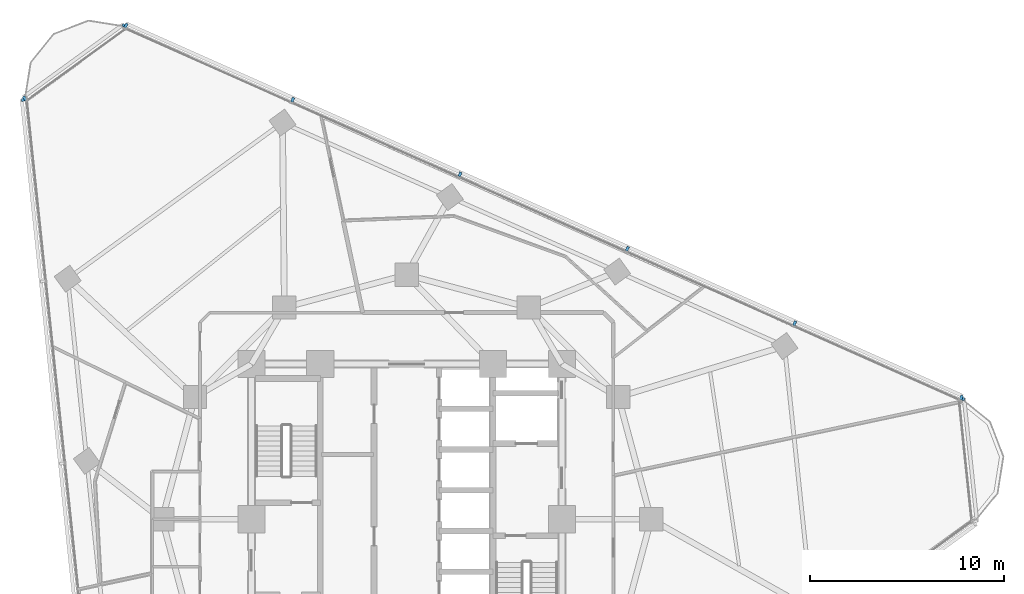
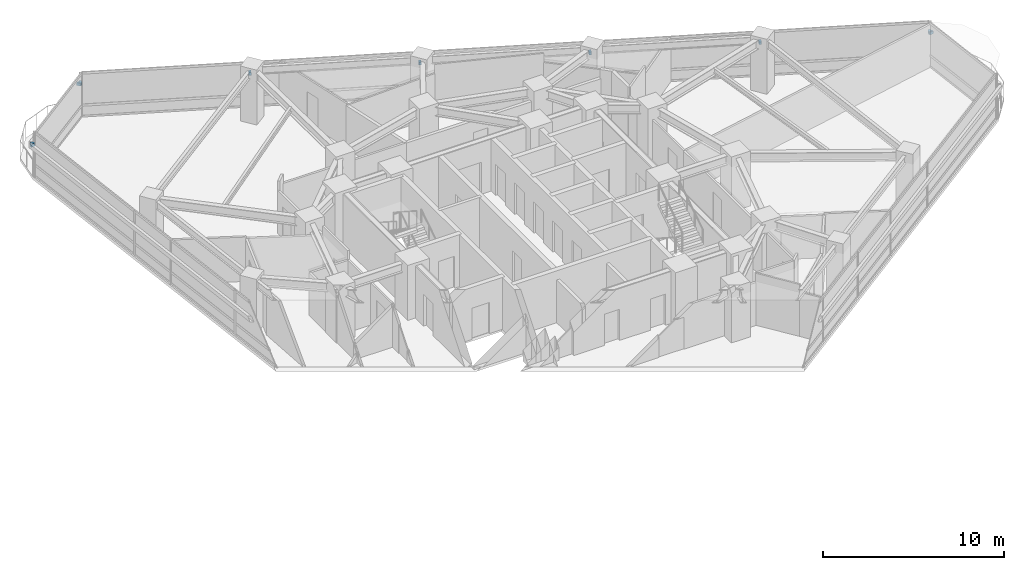
# One storey, part 11 of 14: 10 discrete accessories.
"""IFC4 building model written with IfcOpenShell, lengths in metres."""

from ifc_helpers import new_model, si_unit, direction, frame, origin, origin_2d, place, context, subcontext, project, spatial, rectangle, extrude, material, type_object, element, save


model = new_model("IFC4")

# Units and contexts
model_context = context("Model", 3, precision=1e-05, world=origin(), true_north=direction((0.0, 1.0)))
body_context = subcontext(model_context, "Body", "Model", "MODEL_VIEW")
ifc_project = project(units=[si_unit("LENGTHUNIT", "METRE"), si_unit("AREAUNIT", "SQUARE_METRE"), si_unit("VOLUMEUNIT", "CUBIC_METRE"), si_unit("PLANEANGLEUNIT", "RADIAN"), si_unit("MASSUNIT", "GRAM", prefix="KILO")], contexts=[model_context])

# Site, building, storey
site_placement = place(None, origin())
site = spatial("IfcSite", under=ifc_project, at=site_placement, CompositionType="ELEMENT")
building_placement = place(site_placement, origin())
building = spatial("IfcBuilding", under=site, at=building_placement, Name="Terralouvre Media Tower", CompositionType="ELEMENT")
storey_placement = place(building_placement, frame((0.0, 0.0, 169.39990234375)))
storey = spatial("IfcBuildingStorey", under=building, at=storey_placement, Name="L43", CompositionType="ELEMENT", Elevation=169.39990234375)

# Discrete accessories
ifc_material = material(Name="Anodised extruded aluminium 6063-T6", Category="aluminium")
discrete_accessory_type = type_object("IfcDiscreteAccessoryType", Name="Mullion Stand-Off Baguette Fixing Bracket BK-01", PredefinedType="BRACKET", material=ifc_material)
for number, where, z_axis, x_axis, name in (
    (1, (28.588623046875, 6.280517578125, 2.07421875), (0.0, 0.0, 1.0), (-0.913545469547, 0.406736616337, 0.0), "CW-L43-F1 Baguette Outrigger Bracket 1.01"),
    (2, (19.9990234375, 10.104736328125, 2.07421875), (0.0, 0.0, 1.0), (-0.913545469547, 0.406736616337, 0.0), "CW-L43-F1 Baguette Outrigger Bracket 1.02"),
    (3, (11.375, 13.9443359375, 2.07421875), (0.0, 0.0, 1.0), (-0.913545469547, 0.406736616337, 0.0), "CW-L43-F1 Baguette Outrigger Bracket 1.03"),
    (4, (2.751220703125, 17.783935546875, 2.07421875), (0.0, 0.0, 1.0), (-0.913545469547, 0.406736616337, 0.0), "CW-L43-F1 Baguette Outrigger Bracket 1.04"),
    (5, (-5.87255859375, 21.62353515625, 2.07421875), (0.0, 0.0, 1.0), (-0.913545469547, 0.406736616337, 0.0), "CW-L43-F1 Baguette Outrigger Bracket 1.05"),
    (6, (-14.462158203125, 25.44775390625, 2.07421875), (0.0, 0.0, 1.0), (-0.913545469547, 0.406736616337, 0.0), "CW-L43-F1 Baguette Outrigger Bracket 1.06"),
    (7, (-19.7333984375, 21.6181640625, 2.07421875), (0.0, 0.0, 1.0), (0.104528376236, -0.994521904516, 0.0), "CW-L43-F2 Baguette Outrigger Bracket 1.01"),
    (8, (28.63037109375, 6.193359375, 2.07421875), (0.0, 0.0, 1.0), (-0.10452850319, 0.994521891172, 0.0), "CW-L43-C1 Baguette Outrigger Bracket 1.02"),
    (9, (-14.554931640625, 25.420654296875, 2.07421875), (0.0, 0.0, 1.0), (-0.809017438344, -0.587784641221, 0.0), "CW-L43-C2 Baguette Outrigger Bracket 1.01"),
    (10, (-19.678955078125, 21.697998046875, 2.07421875), (0.0, 0.0, 1.0), (-0.809017438344, -0.587784641221, 0.0), "CW-L43-C2 Baguette Outrigger Bracket 1.02"),
):
    element("IfcDiscreteAccessory", number, at=place(storey_placement, frame(where, z_axis=z_axis, x_axis=x_axis)), inside=storey, type_object=discrete_accessory_type, Name=name, PredefinedType="BRACKET", context=body_context, shape_type="SweptSolid", body=[
        extrude(rectangle(XDim=0.139892578125, YDim=0.239990234375, at=origin_2d()), origin(), (0.0, 0.0, 1.0), 0.179931640625),
    ])

save(model, "model.ifc")
